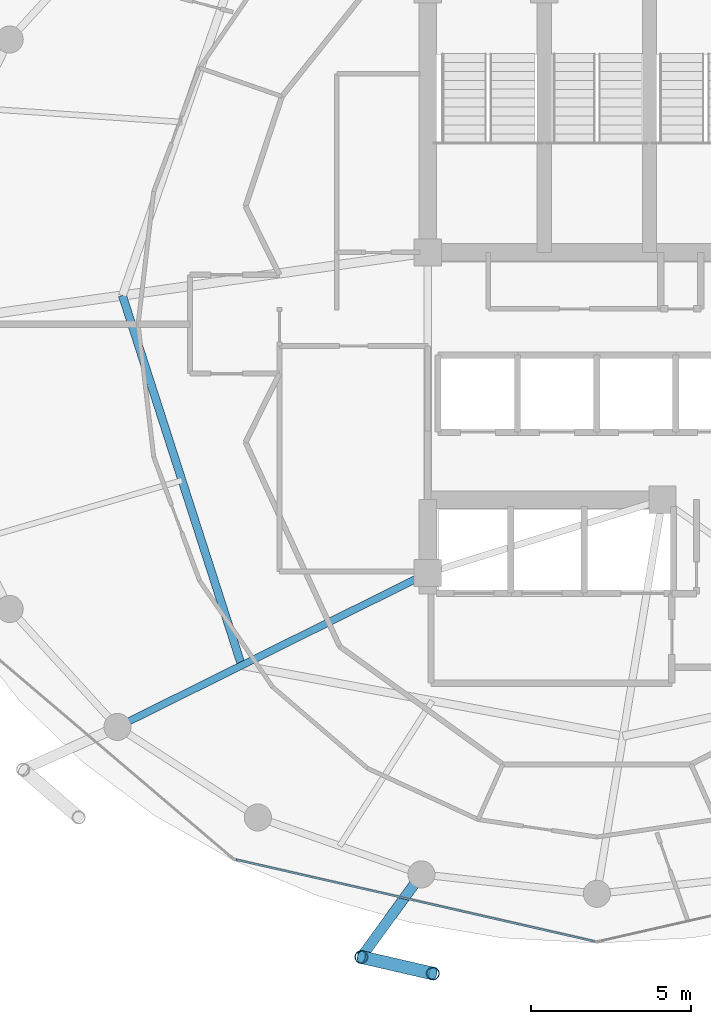
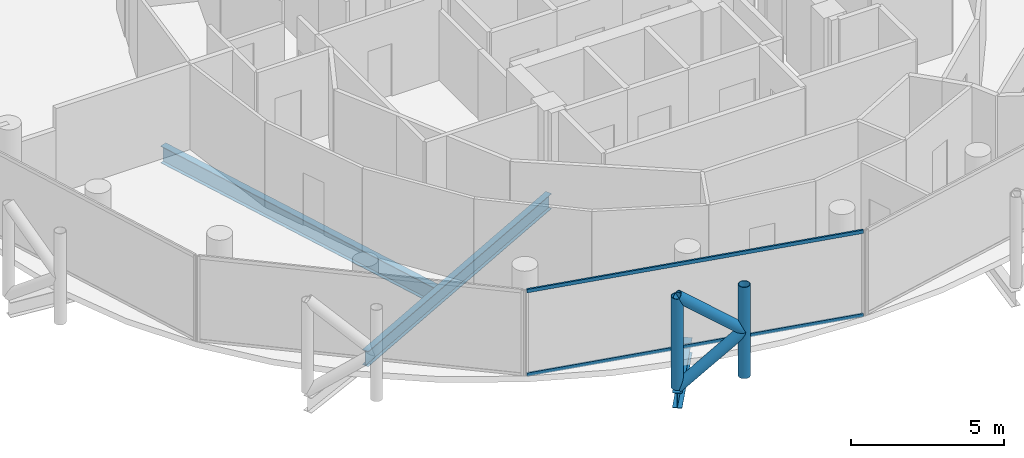
# One storey, part 4 of 28: 6 members, 3 beams, 1 element without a shape of its own.
"""IFC4 building model written with IfcOpenShell, lengths in metres."""

from ifc_helpers import new_model, si_unit, direction, frame, origin, origin_2d, place, context, subcontext, project, spatial, hollow_rectangle, hollow_circle, i_section, extrude, material, layer, layer_set, material_profile, profile_set, type_object, element, aggregate, save


model = new_model("IFC4")

# Units and contexts
model_context = context("Model", 3, precision=1e-05, world=origin(), true_north=direction((0.0, 1.0)))
body_context = subcontext(model_context, "Body", "Model", "MODEL_VIEW")
ifc_project = project(units=[si_unit("LENGTHUNIT", "METRE"), si_unit("AREAUNIT", "SQUARE_METRE"), si_unit("VOLUMEUNIT", "CUBIC_METRE"), si_unit("PLANEANGLEUNIT", "RADIAN"), si_unit("MASSUNIT", "GRAM", prefix="KILO")], contexts=[model_context])

# Site, building, storey
site_placement = place(None, origin())
site = spatial("IfcSite", under=ifc_project, at=site_placement, CompositionType="ELEMENT")
building_placement = place(site_placement, origin())
building = spatial("IfcBuilding", under=site, at=building_placement, Name="Nuhasar Tower", CompositionType="ELEMENT")
storey_placement = place(building_placement, frame((0.0, 0.0, 222.75)))
storey = spatial("IfcBuildingStorey", under=building, at=storey_placement, Name="L54", CompositionType="ELEMENT", Elevation=222.75)

# Beams
ifc_material_1 = material(Name="Steel S355", Category="steel")
ifc_material_profile_1 = material_profile(ifc_material_1, i_section(OverallWidth=0.25390625, OverallDepth=0.68408203125, WebThickness=0.012451171875, FlangeThickness=0.018798828125, at=origin_2d()), Name="W27X94")
ifc_profile_set_1 = profile_set([ifc_material_profile_1], Name="Steel S355")
beam_type_1 = type_object("IfcBeamType", Name="BM-INRING-W27X94", PredefinedType="BEAM", material=ifc_profile_set_1)
beam_1_placement = place(storey_placement, frame((24.1298828125, 27.699951171875, -0.58203125), z_axis=(0.306589852134, -0.951841721385, 0.0), x_axis=(0.951841721385, 0.306589852134, 0.0)))
element("IfcBeam", 1, at=beam_1_placement, inside=storey, type_object=beam_type_1, Name="L54 Inner Header Beam 08", PredefinedType="BEAM", context=body_context, shape_type="SweptSolid", body=[
    extrude(i_section(OverallWidth=0.25390625, OverallDepth=0.68408203125, WebThickness=0.012451171875, FlangeThickness=0.018798828125, at=origin_2d()), origin(), (0.0, 0.0, 1.0), 12.179443359375),
])
ifc_material_profile_2 = material_profile(ifc_material_1, i_section(OverallWidth=0.22900390625, OverallDepth=0.612060546875, WebThickness=0.011962890625, FlangeThickness=0.01953125, at=origin_2d()), Name="W24X84")
ifc_profile_set_2 = profile_set([ifc_material_profile_2], Name="Steel S355")
beam_type_2 = type_object("IfcBeamType", Name="BM-RAD-W24X84", PredefinedType="BEAM", material=ifc_profile_set_2)
beam_2_placement = place(storey_placement, frame((33.699951171875, 19.0, -0.5458984375), z_axis=(-0.895928935233, -0.444197414459, 0.0), x_axis=(0.444197414459, -0.895928935233, 0.0)))
element("IfcBeam", 2, at=beam_2_placement, inside=storey, type_object=beam_type_2, Name="L54 Radial Floor Girder 01", PredefinedType="BEAM", context=body_context, shape_type="SweptSolid", body=[
    extrude(i_section(OverallWidth=0.22900390625, OverallDepth=0.612060546875, WebThickness=0.011962890625, FlangeThickness=0.01953125, at=origin_2d()), origin(), (0.0, 0.0, 1.0), 10.85546875),
])
ifc_material_profile_3 = material_profile(ifc_material_1, i_section(OverallWidth=0.323974609375, OverallDepth=0.611083984375, WebThickness=0.0126953125, FlangeThickness=0.01904296875, at=origin_2d()), Name="W24X104")
ifc_profile_set_3 = profile_set([ifc_material_profile_3], Name="Steel S355")
beam_type_3 = type_object("IfcBeamType", Name="BM-TIE-W24X104", PredefinedType="BEAM", material=ifc_profile_set_3)
beam_3_placement = place(storey_placement, frame((33.5, 9.55810546875, -0.5458984375), z_axis=(-0.588094663461, -0.808792103577, 0.0), x_axis=(0.808792103577, -0.588094663461, 0.0)))
element("IfcBeam", 3, at=beam_3_placement, inside=storey, type_object=beam_type_3, Name="L54 Exoskeleton Node Tie Beam 09", PredefinedType="BEAM", context=body_context, shape_type="SweptSolid", body=[
    extrude(i_section(OverallWidth=0.323974609375, OverallDepth=0.611083984375, WebThickness=0.0126953125, FlangeThickness=0.01904296875, at=origin_2d()), origin(), (0.0, 0.0, 1.0), 3.20361328125),
])

# Curtain wall, members
ifc_material_2 = material(Name="Aluminium 6063-T6", Category="aluminium")
ifc_layer = layer(ifc_material_2, 0.18994140625)
ifc_layer_set = layer_set([ifc_layer], Name="Aluminium 6063-T6")
curtain_wall_type = type_object("IfcCurtainWallType", Name="CW-Z3-RES", PredefinedType="NOTDEFINED", material=ifc_layer_set)
curtain_wall_placement = place(storey_placement, origin())
curtain_wall = element("IfcCurtainWall", 4, at=curtain_wall_placement, inside=storey, type_object=curtain_wall_type, Name="L54 Unitised Curtain Wall 09", PredefinedType="NOTDEFINED")
ifc_material_profile_4 = material_profile(ifc_material_2, hollow_rectangle(XDim=0.06494140625, YDim=0.139892578125, WallThickness=0.00439453125, at=origin_2d()), Name="CWT-4")
ifc_profile_set_4 = profile_set([ifc_material_profile_4], Name="Aluminium 6063-T6")
member_type_1 = type_object("IfcMemberType", Name="CW-TRN-S4", PredefinedType="USERDEFINED", material=ifc_profile_set_4)
member_1_placement = place(storey_placement, frame((27.683349609375, 10.01953125, 0.032470703125), z_axis=(0.974989487479, -0.222250982686, 0.0), x_axis=(0.222250982686, 0.974989487479, 0.0)))
member_1 = element("IfcMember", 5, at=member_1_placement, type_object=member_type_1, Name="CW-Z3 transom 1.1", ObjectType="TRANSOM", PredefinedType="USERDEFINED", context=body_context, shape_type="SweptSolid", body=[
    extrude(hollow_rectangle(XDim=0.06494140625, YDim=0.139892578125, WallThickness=0.00439453125, at=origin_2d()), origin(), (0.0, 0.0, 1.0), 11.541748046875),
])
member_2_placement = place(storey_placement, frame((27.683349609375, 10.01953125, 3.37744140625), z_axis=(0.974989487479, -0.222250982686, 0.0), x_axis=(0.222250982686, 0.974989487479, 0.0)))
member_2 = element("IfcMember", 6, at=member_2_placement, type_object=member_type_1, Name="CW-Z3 transom 1.2", ObjectType="TRANSOM", PredefinedType="USERDEFINED", context=body_context, shape_type="SweptSolid", body=[
    extrude(hollow_rectangle(XDim=0.06494140625, YDim=0.139892578125, WallThickness=0.00439453125, at=origin_2d()), origin(), (0.0, 0.0, 1.0), 11.541748046875),
])
aggregate(curtain_wall, [member_1, member_2])

# Members
ifc_material_3 = material(Name="Steel S460", Category="steel")
ifc_material_profile_5 = material_profile(ifc_material_3, hollow_circle(Radius=0.203125, WallThickness=0.01904296875, at=origin_2d()), Name="HSS406.4X19.1")
ifc_profile_set_5 = profile_set([ifc_material_profile_5], Name="Steel S460")
member_type_2 = type_object("IfcMemberType", Name="EXO-BRONZE-406", PredefinedType="BRACE", material=ifc_profile_set_5)
for number, where, z_axis, x_axis, name in (
    (7, (31.615966796875, 6.967041015625, 0.0), (0.0, 0.0, 1.0), (1.0, 0.0, 0.0), "L54 Exoskeleton Chord Column EC-09A"),
    (8, (33.85693359375, 6.450927734375, 0.0), (0.0, 0.0, 1.0), (1.0, 0.0, 0.0), "L54 Exoskeleton Chord Column EC-09B"),
):
    element("IfcMember", number, at=place(storey_placement, frame(where, z_axis=z_axis, x_axis=x_axis)), inside=storey, type_object=member_type_2, Name=name, PredefinedType="BRACE", context=body_context, shape_type="SweptSolid", body=[
        extrude(hollow_circle(Radius=0.203125, WallThickness=0.01904296875, at=origin_2d()), origin(), (0.0, 0.0, 1.0), 3.64990234375),
    ])
for number, where, z_axis, x_axis, name in (
    (9, (31.615966796875, 6.967041015625, 0.0), (0.76333158458, -0.175801609086, 0.621625841021), (0.224433035437, 0.97448951385, 0.0), "L54 Bronze Diagrid Brace W1-09"),
    (10, (33.85693359375, 6.450927734375, 1.824951171875), (-0.76333158458, 0.175801609086, 0.621625841021), (-0.224433035437, -0.97448951385, 0.0), "L54 Bronze Diagrid Brace W2-09"),
):
    element("IfcMember", number, at=place(storey_placement, frame(where, z_axis=z_axis, x_axis=x_axis)), inside=storey, type_object=member_type_2, Name=name, PredefinedType="BRACE", context=body_context, shape_type="SweptSolid", body=[
        extrude(hollow_circle(Radius=0.203125, WallThickness=0.01904296875, at=origin_2d()), origin(), (0.0, 0.0, 1.0), 2.935791015625),
    ])

save(model, "model.ifc")
